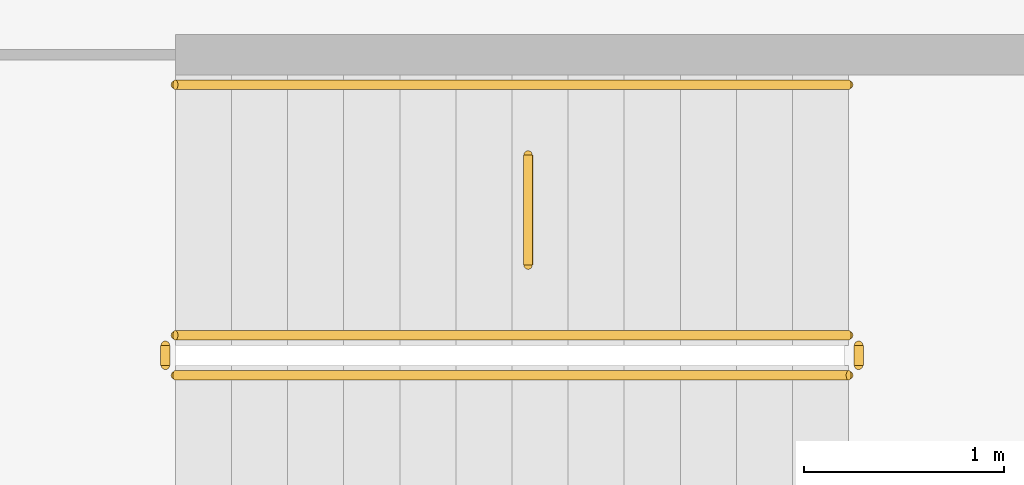
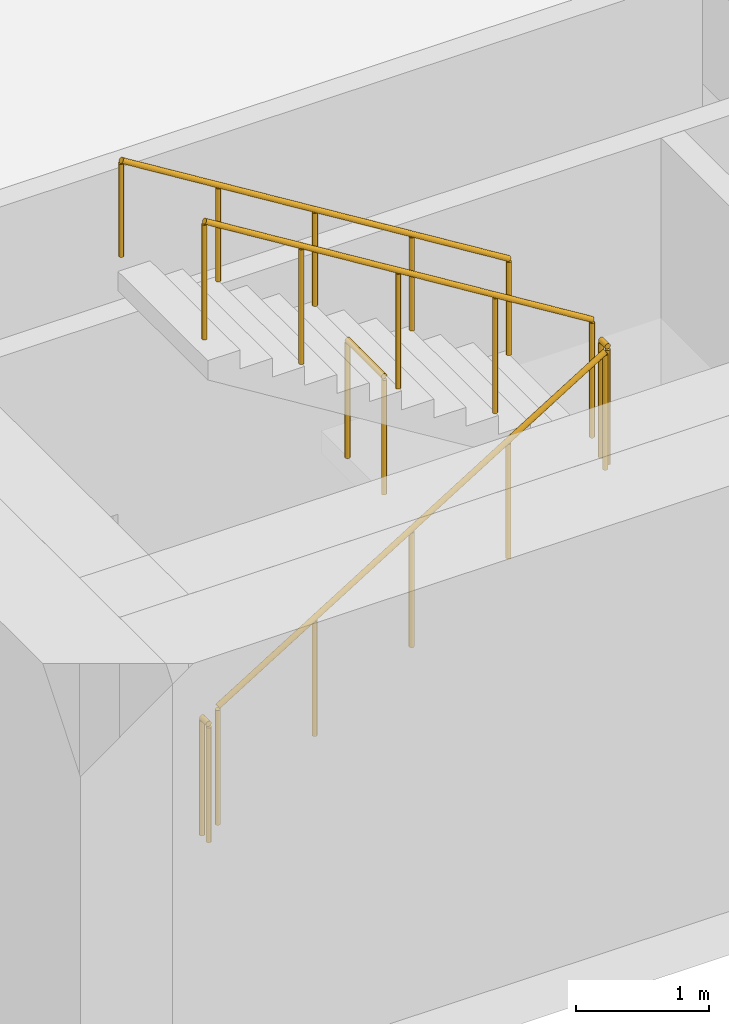
# One storey, part 16 of 23: 6 railings.
"""IFC4 building model written with IfcOpenShell, lengths in metres."""

import ifcopenshell
import ifcopenshell.guid

model = None  # the IFC model being written
_history = None  # IfcOwnerHistory: only IFC2X3 demands one
_inside = {}  # id of a spatial element -> (the spatial element, [elements in it])
_under = {}  # id of a project, library or spatial element -> (it, [spatial elements below it])
_declared = {}  # id of a project -> (the project, [libraries it declares])
_typed = {}  # id of a type object -> (the type object, [elements of that type])
_made_of = {}  # id of a material, layer set ... -> (it, [elements and type objects made of it])


def new_model(schema):
    """Start an empty IFC model of exactly this schema.

    Asked for "IFC4X3", IfcOpenShell would pick the latest addendum, in which some entities
    have other attributes; the version numbers below select the first issue.
    IFC2X3 requires an IfcOwnerHistory on every rooted entity: one is made here for all.
    """
    global model, _history
    if schema == "IFC4X3":
        model = ifcopenshell.file(schema_version=(4, 3, 0, 0))
    else:
        model = ifcopenshell.file(schema=schema)
    _inside.clear()
    _under.clear()
    _declared.clear()
    _typed.clear()
    _made_of.clear()
    _history = None
    if model.schema == "IFC2X3":
        org = make("IfcOrganization", Name="unknown")
        user = make(
            "IfcPersonAndOrganization",
            ThePerson=make("IfcPerson", FamilyName="unknown"),
            TheOrganization=org,
        )
        app = make(
            "IfcApplication",
            ApplicationDeveloper=org,
            Version="unknown",
            ApplicationFullName="unknown",
            ApplicationIdentifier="unknown",
        )
        _history = make(
            "IfcOwnerHistory",
            OwningUser=user,
            OwningApplication=app,
            ChangeAction="ADDED",
            CreationDate=0,
        )
    return model


def make(cls, **values):
    """One entity of the class cls with the attributes given. An attribute that is None is left unset."""
    return model.create_entity(
        cls, **{name: value for name, value in values.items() if value is not None}
    )


def rooted(cls, **values):
    """An entity with a GlobalId (a new one), such as an element, a storey or a relation."""
    return make(cls, GlobalId=ifcopenshell.guid.new(), OwnerHistory=_history, **values)


def si_unit(unit_type, name, prefix=None):
    """IfcSIUnit, for example si_unit("LENGTHUNIT", "METRE", prefix="MILLI")."""
    return make("IfcSIUnit", UnitType=unit_type, Prefix=prefix, Name=name)


def assignment(units):
    """IfcUnitAssignment: the units of a project."""
    return None if units is None else make("IfcUnitAssignment", Units=units)


def point(xyz):
    """IfcCartesianPoint."""
    return None if xyz is None else make("IfcCartesianPoint", Coordinates=xyz)


def direction(xyz):
    """IfcDirection."""
    return None if xyz is None else make("IfcDirection", DirectionRatios=xyz)


def frame(location, z_axis=None, x_axis=None):
    """IfcAxis2Placement3D, a coordinate frame: its origin and axes. An axis left out is left unset."""
    return make(
        "IfcAxis2Placement3D",
        Location=point(location),
        Axis=direction(z_axis),
        RefDirection=direction(x_axis),
    )


def frame_2d(location, x_axis=None):
    """IfcAxis2Placement2D, a coordinate frame in the plane: its origin and x axis."""
    return make(
        "IfcAxis2Placement2D", Location=point(location), RefDirection=direction(x_axis)
    )


def origin():
    """The frame at (0, 0, 0) with its axes left unset."""
    return frame((0.0, 0.0, 0.0))


def origin_2d():
    """The frame at (0, 0) in the plane with its x axis left unset."""
    return frame_2d((0.0, 0.0))


def place(relative_to, where):
    """IfcLocalPlacement: puts the frame where relative to a parent placement (None: the world)."""
    return make(
        "IfcLocalPlacement", PlacementRelTo=relative_to, RelativePlacement=where
    )


def context(
    kind, dimensions, precision=None, world=None, true_north=None, identifier=None
):
    """IfcGeometricRepresentationContext, for example the 3D "Model" context."""
    return make(
        "IfcGeometricRepresentationContext",
        ContextIdentifier=identifier,
        ContextType=kind,
        CoordinateSpaceDimension=dimensions,
        Precision=precision,
        WorldCoordinateSystem=world,
        TrueNorth=true_north,
    )


def subcontext(parent, identifier, kind, view, scale=None):
    """IfcGeometricRepresentationSubContext, for example "Body" below "Model"."""
    return make(
        "IfcGeometricRepresentationSubContext",
        ContextIdentifier=identifier,
        ContextType=kind,
        ParentContext=parent,
        TargetScale=scale,
        TargetView=view,
    )


def project(units=None, contexts=None):
    """IfcProject with its units and contexts."""
    return rooted(
        "IfcProject",
        Name="project",
        RepresentationContexts=contexts,
        UnitsInContext=assignment(units),
    )


def spatial(cls, under=None, at=None, **own):
    """A site, building, storey or space (cls), placed at a placement, below another one or the project."""
    s = rooted(cls, ObjectPlacement=at, **own)
    if under is not None:
        _under.setdefault(under.id(), (under, []))[1].append(s)
    return s


def profile(cls, at=None, kind="AREA", **sizes):
    """A parametric profile (cls). Its sizes go by their IFC names, for example OverallWidth=200.0."""
    return make(cls, ProfileType=kind, Position=at, **sizes)


def circle(**sizes):
    """IfcCircleProfileDef."""
    return profile("IfcCircleProfileDef", **sizes)


def extrude(swept, where, along, depth):
    """IfcExtrudedAreaSolid: the profile swept, set in the frame where, extruded along a direction by depth."""
    return make(
        "IfcExtrudedAreaSolid",
        SweptArea=swept,
        Position=where,
        ExtrudedDirection=direction(along),
        Depth=depth,
    )


def shape(context_of_items, identifier, shape_type, items):
    """IfcShapeRepresentation: the items that make up one representation, for example the "Body"."""
    return make(
        "IfcShapeRepresentation",
        ContextOfItems=context_of_items,
        RepresentationIdentifier=identifier,
        RepresentationType=shape_type,
        Items=items,
    )


def material(Name=None, Category=None):
    """IfcMaterial."""
    return make("IfcMaterial", Name=Name, Category=Category)


def made_of(thing, what):
    """Note that an element or type object is made of a material, layer set ...; save() writes the relation."""
    if what is not None:
        _made_of.setdefault(what.id(), (what, []))[1].append(thing)
    return thing


def type_object(cls, material=None, **own):
    """A type object (cls), such as IfcWallType, which elements share."""
    return made_of(rooted(cls, **own), material)


def element(
    cls,
    number,
    at=None,
    inside=None,
    cuts=None,
    type_object=None,
    material=None,
    context=None,
    identifier="Body",
    shape_type=None,
    held_by="IfcProductDefinitionShape",
    body=None,
    shapes=None,
    **own,
):
    """One element of the class cls, such as IfcWall. Its Tag is "e" and its number.

    at: its placement. inside: the storey or other place that contains it. cuts: it is an
    opening in that element (IfcRelVoidsElement). A single representation is given by context,
    identifier, shape_type and body (its items); several are given by shapes. held_by: the class
    of the entity that holds the representations. save() writes the other relations.
    """
    e = rooted(cls, Tag="e%d" % number, ObjectPlacement=at, **own)
    if body is not None:
        shapes = [shape(context, identifier, shape_type, body)]
    if shapes is not None:
        e.Representation = make(held_by, Representations=shapes)
    if inside is not None:
        _inside.setdefault(inside.id(), (inside, []))[1].append(e)
    if cuts is not None:
        rooted(
            "IfcRelVoidsElement", RelatingBuildingElement=cuts, RelatedOpeningElement=e
        )
    if type_object is not None:
        _typed.setdefault(type_object.id(), (type_object, []))[1].append(e)
    return made_of(e, material)


def aggregate(whole, parts):
    """IfcRelAggregates: a whole, such as a stair, and the parts it consists of."""
    return rooted("IfcRelAggregates", RelatingObject=whole, RelatedObjects=parts)


def save(model, path):
    """Write the relations noted so far, then the file.

    IfcRelAggregates (storeys below a building ...), IfcRelContainedInSpatialStructure (elements
    in a storey), IfcRelDefinesByType, IfcRelAssociatesMaterial and IfcRelDeclares: one each for
    every whole, place, type object, material and project.
    """
    for whole, parts in _under.values():
        aggregate(whole, parts)
    for where, things in _inside.values():
        rooted(
            "IfcRelContainedInSpatialStructure",
            RelatedElements=things,
            RelatingStructure=where,
        )
    for kind, things in _typed.values():
        rooted("IfcRelDefinesByType", RelatedObjects=things, RelatingType=kind)
    for what, things in _made_of.values():
        rooted("IfcRelAssociatesMaterial", RelatedObjects=things, RelatingMaterial=what)
    for by, libraries in _declared.values():
        rooted("IfcRelDeclares", RelatingContext=by, RelatedDefinitions=libraries)
    model.write(path)


model = new_model("IFC4")

# Units and contexts
model_context = context("Model", 3, precision=1e-05, world=origin(), true_north=direction((0.0, 1.0)))
body_context = subcontext(model_context, "Body", "Model", "MODEL_VIEW")
ifc_project = project(units=[si_unit("LENGTHUNIT", "METRE"), si_unit("AREAUNIT", "SQUARE_METRE"), si_unit("VOLUMEUNIT", "CUBIC_METRE"), si_unit("PLANEANGLEUNIT", "RADIAN"), si_unit("MASSUNIT", "GRAM", prefix="KILO")], contexts=[model_context])

# Site, building, storey
site_placement = place(None, origin())
site = spatial("IfcSite", under=ifc_project, at=site_placement, CompositionType="ELEMENT")
building_placement = place(site_placement, origin())
building = spatial("IfcBuilding", under=site, at=building_placement, Name="Stone Belt Terrace Tower", CompositionType="ELEMENT")
storey_placement = place(building_placement, frame((0.0, 0.0, -4.5)))
storey = spatial("IfcBuildingStorey", under=building, at=storey_placement, Name="B1", CompositionType="ELEMENT", Elevation=-4.5)

# Railings
ifc_material_1 = material(Name="Structural steel C345", Category="steel")
railing_type_1 = type_object("IfcRailingType", Name="Car park guard 1100", PredefinedType="GUARDRAIL", material=ifc_material_1)
railing_1_placement = place(storey_placement, frame((-30.75, -48.800048828125, 0.173095703125)))
element("IfcRailing", 1, at=railing_1_placement, inside=storey, type_object=railing_type_1, Name="B1 CS1 stair guard 1", PredefinedType="GUARDRAIL", context=body_context, shape_type="SweptSolid", body=[
    extrude(circle(Radius=0.02392578125, at=origin_2d()), frame((0.0, 0.0, 1.076171875), z_axis=(0.850623216509, 0.0, 0.525775754039), x_axis=(0.0, 1.0, 0.0)), (0.0, 0.0, 1.0), 3.9501953125),
    extrude(circle(Radius=0.02099609375, at=origin_2d()), origin(), (0.0, 0.0, 1.0), 1.052001953125),
    extrude(circle(Radius=0.02099609375, at=origin_2d()), frame((0.840087890625, 0.0, 0.519287109375)), (0.0, 0.0, 1.0), 1.052001953125),
    extrude(circle(Radius=0.02099609375, at=origin_2d()), frame((1.68017578125, 0.0, 1.03857421875)), (0.0, 0.0, 1.0), 1.052001953125),
    extrude(circle(Radius=0.02099609375, at=origin_2d()), frame((2.52001953125, 0.0, 1.5576171875)), (0.0, 0.0, 1.0), 1.052001953125),
    extrude(circle(Radius=0.02099609375, at=origin_2d()), frame((3.360107421875, 0.0, 2.076904296875)), (0.0, 0.0, 1.0), 1.052001953125),
])
railing_2_placement = place(storey_placement, frame((-27.340087890625, -48.75, 2.25)))
element("IfcRailing", 2, at=railing_2_placement, inside=storey, type_object=railing_type_1, Name="B1 CS1 stair guard 2", PredefinedType="GUARDRAIL", context=body_context, shape_type="SweptSolid", body=[
    extrude(circle(Radius=0.02392578125, at=origin_2d()), frame((0.0, 0.0, 1.076171875), z_axis=(0.0, 1.0, 0.0), x_axis=(-1.0, 0.0, 0.0)), (0.0, 0.0, 1.0), 0.10009765625),
    extrude(circle(Radius=0.02099609375, at=origin_2d()), origin(), (0.0, 0.0, 1.0), 1.052001953125),
    extrude(circle(Radius=0.02099609375, at=origin_2d()), frame((0.0, 0.10009765625, 0.0)), (0.0, 0.0, 1.0), 1.052001953125),
])
railing_3_placement = place(storey_placement, frame((-27.389892578125, -48.60009765625, 2.423095703125)))
element("IfcRailing", 3, at=railing_3_placement, inside=storey, type_object=railing_type_1, Name="B1 CS1 stair guard 3", PredefinedType="GUARDRAIL", context=body_context, shape_type="SweptSolid", body=[
    extrude(circle(Radius=0.02392578125, at=origin_2d()), frame((0.0, 0.0, 1.076171875), z_axis=(-0.850623216509, 0.0, 0.525775754039), x_axis=(0.0, -1.0, 0.0)), (0.0, 0.0, 1.0), 3.9501953125),
    extrude(circle(Radius=0.02099609375, at=origin_2d()), origin(), (0.0, 0.0, 1.0), 1.052001953125),
    extrude(circle(Radius=0.02099609375, at=origin_2d()), frame((-0.840087890625, 0.0, 0.519287109375)), (0.0, 0.0, 1.0), 1.052001953125),
    extrude(circle(Radius=0.02099609375, at=origin_2d()), frame((-1.68017578125, 0.0, 1.03857421875)), (0.0, 0.0, 1.0), 1.052001953125),
    extrude(circle(Radius=0.02099609375, at=origin_2d()), frame((-2.52001953125, 0.0, 1.5576171875)), (0.0, 0.0, 1.0), 1.052001953125),
    extrude(circle(Radius=0.02099609375, at=origin_2d()), frame((-3.360107421875, 0.0, 2.076904296875)), (0.0, 0.0, 1.0), 1.052001953125),
])
railing_4_placement = place(storey_placement, frame((-30.800048828125, -48.75, 0.0)))
element("IfcRailing", 4, at=railing_4_placement, inside=storey, type_object=railing_type_1, Name="B1 CS1 stair guard 4", PredefinedType="GUARDRAIL", context=body_context, shape_type="SweptSolid", body=[
    extrude(circle(Radius=0.02392578125, at=origin_2d()), frame((0.0, 0.0, 1.076171875), z_axis=(0.0, 1.0, 0.0), x_axis=(-1.0, 0.0, 0.0)), (0.0, 0.0, 1.0), 0.10009765625),
    extrude(circle(Radius=0.02099609375, at=origin_2d()), origin(), (0.0, 0.0, 1.0), 1.052001953125),
    extrude(circle(Radius=0.02099609375, at=origin_2d()), frame((0.0, 0.10009765625, 0.0)), (0.0, 0.0, 1.0), 1.052001953125),
])
railing_5_placement = place(storey_placement, frame((-28.989990234375, -48.25, 2.25)))
element("IfcRailing", 5, at=railing_5_placement, inside=storey, type_object=railing_type_1, Name="Car park stair landing guard", PredefinedType="GUARDRAIL", context=body_context, shape_type="SweptSolid", body=[
    extrude(circle(Radius=0.02392578125, at=origin_2d()), frame((0.0, 0.0, 1.076171875), z_axis=(0.0, 1.0, 0.0), x_axis=(-1.0, 0.0, 0.0)), (0.0, 0.0, 1.0), 0.550048828125),
    extrude(circle(Radius=0.02099609375, at=origin_2d()), origin(), (0.0, 0.0, 1.0), 1.052001953125),
    extrude(circle(Radius=0.02099609375, at=origin_2d()), frame((0.0, 0.550048828125, 0.0)), (0.0, 0.0, 1.0), 1.052001953125),
])
ifc_material_2 = material(Name="Stainless steel", Category="steel")
railing_type_2 = type_object("IfcRailingType", Name="Car park handrail 900", PredefinedType="HANDRAIL", material=ifc_material_2)
railing_6_placement = place(storey_placement, frame((-27.389892578125, -47.35009765625, 2.423095703125)))
element("IfcRailing", 6, at=railing_6_placement, inside=storey, type_object=railing_type_2, Name="B1 CS1 stair handrail 2", PredefinedType="HANDRAIL", context=body_context, shape_type="SweptSolid", body=[
    extrude(circle(Radius=0.02392578125, at=origin_2d()), frame((0.0, 0.0, 0.8759765625), z_axis=(-0.850623216509, 0.0, 0.525775754039), x_axis=(0.0, -1.0, 0.0)), (0.0, 0.0, 1.0), 3.9501953125),
    extrude(circle(Radius=0.02099609375, at=origin_2d()), origin(), (0.0, 0.0, 1.0), 0.851806640625),
    extrude(circle(Radius=0.02099609375, at=origin_2d()), frame((-0.840087890625, 0.0, 0.519287109375)), (0.0, 0.0, 1.0), 0.851806640625),
    extrude(circle(Radius=0.02099609375, at=origin_2d()), frame((-1.68017578125, 0.0, 1.03857421875)), (0.0, 0.0, 1.0), 0.851806640625),
    extrude(circle(Radius=0.02099609375, at=origin_2d()), frame((-2.52001953125, 0.0, 1.5576171875)), (0.0, 0.0, 1.0), 0.851806640625),
    extrude(circle(Radius=0.02099609375, at=origin_2d()), frame((-3.360107421875, 0.0, 2.076904296875)), (0.0, 0.0, 1.0), 0.851806640625),
])

save(model, "model.ifc")
